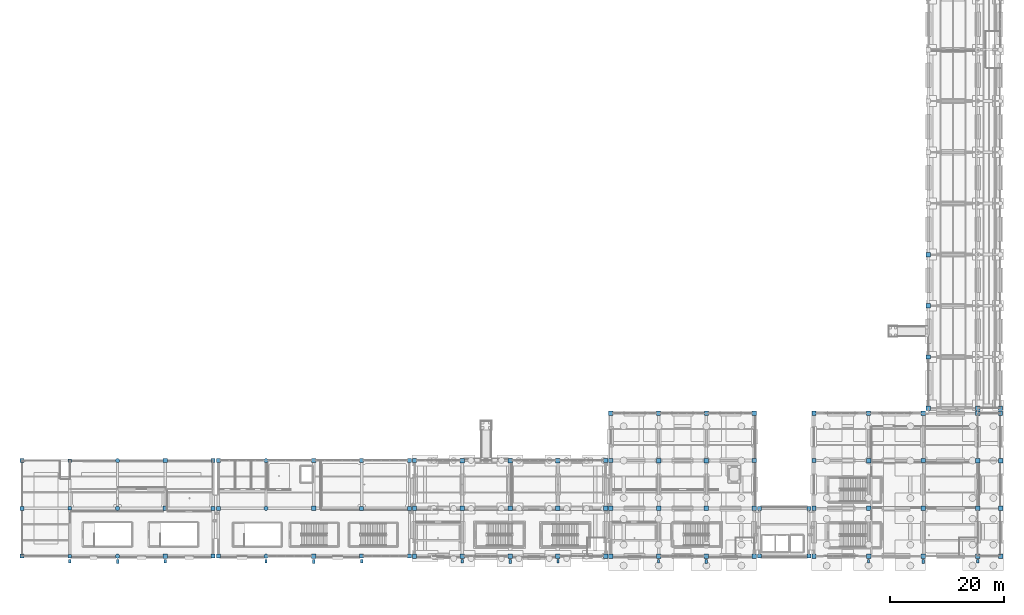
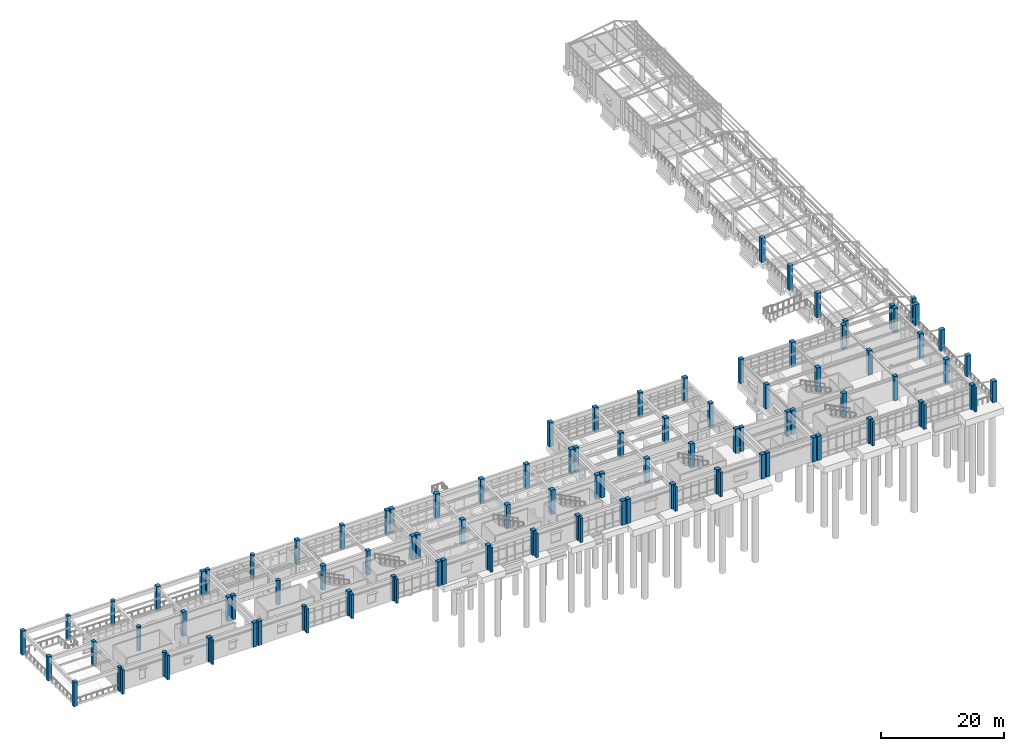
# One storey, part 5 of 111: 105 columns.
"""IFC4 building model written with IfcOpenShell, lengths in metres."""

import ifcopenshell
import ifcopenshell.guid

model = None  # the IFC model being written
_history = None  # IfcOwnerHistory: only IFC2X3 demands one
_inside = {}  # id of a spatial element -> (the spatial element, [elements in it])
_under = {}  # id of a project, library or spatial element -> (it, [spatial elements below it])
_declared = {}  # id of a project -> (the project, [libraries it declares])
_typed = {}  # id of a type object -> (the type object, [elements of that type])
_made_of = {}  # id of a material, layer set ... -> (it, [elements and type objects made of it])


def new_model(schema):
    """Start an empty IFC model of exactly this schema.

    Asked for "IFC4X3", IfcOpenShell would pick the latest addendum, in which some entities
    have other attributes; the version numbers below select the first issue.
    IFC2X3 requires an IfcOwnerHistory on every rooted entity: one is made here for all.
    """
    global model, _history
    if schema == "IFC4X3":
        model = ifcopenshell.file(schema_version=(4, 3, 0, 0))
    else:
        model = ifcopenshell.file(schema=schema)
    _inside.clear()
    _under.clear()
    _declared.clear()
    _typed.clear()
    _made_of.clear()
    _history = None
    if model.schema == "IFC2X3":
        org = make("IfcOrganization", Name="unknown")
        user = make(
            "IfcPersonAndOrganization",
            ThePerson=make("IfcPerson", FamilyName="unknown"),
            TheOrganization=org,
        )
        app = make(
            "IfcApplication",
            ApplicationDeveloper=org,
            Version="unknown",
            ApplicationFullName="unknown",
            ApplicationIdentifier="unknown",
        )
        _history = make(
            "IfcOwnerHistory",
            OwningUser=user,
            OwningApplication=app,
            ChangeAction="ADDED",
            CreationDate=0,
        )
    return model


def make(cls, **values):
    """One entity of the class cls with the attributes given. An attribute that is None is left unset."""
    return model.create_entity(
        cls, **{name: value for name, value in values.items() if value is not None}
    )


def rooted(cls, **values):
    """An entity with a GlobalId (a new one), such as an element, a storey or a relation."""
    return make(cls, GlobalId=ifcopenshell.guid.new(), OwnerHistory=_history, **values)


def si_unit(unit_type, name, prefix=None):
    """IfcSIUnit, for example si_unit("LENGTHUNIT", "METRE", prefix="MILLI")."""
    return make("IfcSIUnit", UnitType=unit_type, Prefix=prefix, Name=name)


def assignment(units):
    """IfcUnitAssignment: the units of a project."""
    return None if units is None else make("IfcUnitAssignment", Units=units)


def point(xyz):
    """IfcCartesianPoint."""
    return None if xyz is None else make("IfcCartesianPoint", Coordinates=xyz)


def direction(xyz):
    """IfcDirection."""
    return None if xyz is None else make("IfcDirection", DirectionRatios=xyz)


def frame(location, z_axis=None, x_axis=None):
    """IfcAxis2Placement3D, a coordinate frame: its origin and axes. An axis left out is left unset."""
    return make(
        "IfcAxis2Placement3D",
        Location=point(location),
        Axis=direction(z_axis),
        RefDirection=direction(x_axis),
    )


def frame_2d(location, x_axis=None):
    """IfcAxis2Placement2D, a coordinate frame in the plane: its origin and x axis."""
    return make(
        "IfcAxis2Placement2D", Location=point(location), RefDirection=direction(x_axis)
    )


def origin():
    """The frame at (0, 0, 0) with its axes left unset."""
    return frame((0.0, 0.0, 0.0))


def origin_2d():
    """The frame at (0, 0) in the plane with its x axis left unset."""
    return frame_2d((0.0, 0.0))


def place(relative_to, where):
    """IfcLocalPlacement: puts the frame where relative to a parent placement (None: the world)."""
    return make(
        "IfcLocalPlacement", PlacementRelTo=relative_to, RelativePlacement=where
    )


def context(
    kind, dimensions, precision=None, world=None, true_north=None, identifier=None
):
    """IfcGeometricRepresentationContext, for example the 3D "Model" context."""
    return make(
        "IfcGeometricRepresentationContext",
        ContextIdentifier=identifier,
        ContextType=kind,
        CoordinateSpaceDimension=dimensions,
        Precision=precision,
        WorldCoordinateSystem=world,
        TrueNorth=true_north,
    )


def subcontext(parent, identifier, kind, view, scale=None):
    """IfcGeometricRepresentationSubContext, for example "Body" below "Model"."""
    return make(
        "IfcGeometricRepresentationSubContext",
        ContextIdentifier=identifier,
        ContextType=kind,
        ParentContext=parent,
        TargetScale=scale,
        TargetView=view,
    )


def project(units=None, contexts=None):
    """IfcProject with its units and contexts."""
    return rooted(
        "IfcProject",
        Name="project",
        RepresentationContexts=contexts,
        UnitsInContext=assignment(units),
    )


def spatial(cls, under=None, at=None, **own):
    """A site, building, storey or space (cls), placed at a placement, below another one or the project."""
    s = rooted(cls, ObjectPlacement=at, **own)
    if under is not None:
        _under.setdefault(under.id(), (under, []))[1].append(s)
    return s


def profile(cls, at=None, kind="AREA", **sizes):
    """A parametric profile (cls). Its sizes go by their IFC names, for example OverallWidth=200.0."""
    return make(cls, ProfileType=kind, Position=at, **sizes)


def rectangle(**sizes):
    """IfcRectangleProfileDef."""
    return profile("IfcRectangleProfileDef", **sizes)


def circle(**sizes):
    """IfcCircleProfileDef."""
    return profile("IfcCircleProfileDef", **sizes)


def extrude(swept, where, along, depth):
    """IfcExtrudedAreaSolid: the profile swept, set in the frame where, extruded along a direction by depth."""
    return make(
        "IfcExtrudedAreaSolid",
        SweptArea=swept,
        Position=where,
        ExtrudedDirection=direction(along),
        Depth=depth,
    )


def shape(context_of_items, identifier, shape_type, items):
    """IfcShapeRepresentation: the items that make up one representation, for example the "Body"."""
    return make(
        "IfcShapeRepresentation",
        ContextOfItems=context_of_items,
        RepresentationIdentifier=identifier,
        RepresentationType=shape_type,
        Items=items,
    )


def material(Name=None, Category=None):
    """IfcMaterial."""
    return make("IfcMaterial", Name=Name, Category=Category)


def material_profile(
    of_material, cross_section, Name=None, Category=None, Priority=None
):
    """IfcMaterialProfile: a cross section and its material."""
    return make(
        "IfcMaterialProfile",
        Name=Name,
        Material=of_material,
        Profile=cross_section,
        Priority=Priority,
        Category=Category,
    )


def profile_set(profiles, Name=None, composite=None):
    """IfcMaterialProfileSet."""
    return make(
        "IfcMaterialProfileSet",
        Name=Name,
        MaterialProfiles=profiles,
        CompositeProfile=composite,
    )


def made_of(thing, what):
    """Note that an element or type object is made of a material, layer set ...; save() writes the relation."""
    if what is not None:
        _made_of.setdefault(what.id(), (what, []))[1].append(thing)
    return thing


def type_object(cls, material=None, **own):
    """A type object (cls), such as IfcWallType, which elements share."""
    return made_of(rooted(cls, **own), material)


def element(
    cls,
    number,
    at=None,
    inside=None,
    cuts=None,
    type_object=None,
    material=None,
    context=None,
    identifier="Body",
    shape_type=None,
    held_by="IfcProductDefinitionShape",
    body=None,
    shapes=None,
    **own,
):
    """One element of the class cls, such as IfcWall. Its Tag is "e" and its number.

    at: its placement. inside: the storey or other place that contains it. cuts: it is an
    opening in that element (IfcRelVoidsElement). A single representation is given by context,
    identifier, shape_type and body (its items); several are given by shapes. held_by: the class
    of the entity that holds the representations. save() writes the other relations.
    """
    e = rooted(cls, Tag="e%d" % number, ObjectPlacement=at, **own)
    if body is not None:
        shapes = [shape(context, identifier, shape_type, body)]
    if shapes is not None:
        e.Representation = make(held_by, Representations=shapes)
    if inside is not None:
        _inside.setdefault(inside.id(), (inside, []))[1].append(e)
    if cuts is not None:
        rooted(
            "IfcRelVoidsElement", RelatingBuildingElement=cuts, RelatedOpeningElement=e
        )
    if type_object is not None:
        _typed.setdefault(type_object.id(), (type_object, []))[1].append(e)
    return made_of(e, material)


def aggregate(whole, parts):
    """IfcRelAggregates: a whole, such as a stair, and the parts it consists of."""
    return rooted("IfcRelAggregates", RelatingObject=whole, RelatedObjects=parts)


def save(model, path):
    """Write the relations noted so far, then the file.

    IfcRelAggregates (storeys below a building ...), IfcRelContainedInSpatialStructure (elements
    in a storey), IfcRelDefinesByType, IfcRelAssociatesMaterial and IfcRelDeclares: one each for
    every whole, place, type object, material and project.
    """
    for whole, parts in _under.values():
        aggregate(whole, parts)
    for where, things in _inside.values():
        rooted(
            "IfcRelContainedInSpatialStructure",
            RelatedElements=things,
            RelatingStructure=where,
        )
    for kind, things in _typed.values():
        rooted("IfcRelDefinesByType", RelatedObjects=things, RelatingType=kind)
    for what, things in _made_of.values():
        rooted("IfcRelAssociatesMaterial", RelatedObjects=things, RelatingMaterial=what)
    for by, libraries in _declared.values():
        rooted("IfcRelDeclares", RelatingContext=by, RelatedDefinitions=libraries)
    model.write(path)


model = new_model("IFC4")

# Units and contexts
model_context = context("Model", 3, precision=1e-05, world=origin(), true_north=direction((0.0, 1.0)))
body_context = subcontext(model_context, "Body", "Model", "MODEL_VIEW")
ifc_project = project(units=[si_unit("LENGTHUNIT", "METRE"), si_unit("AREAUNIT", "SQUARE_METRE"), si_unit("VOLUMEUNIT", "CUBIC_METRE"), si_unit("PLANEANGLEUNIT", "RADIAN"), si_unit("MASSUNIT", "GRAM", prefix="KILO")], contexts=[model_context])

# Site, building, storey
site_placement = place(None, origin())
site = spatial("IfcSite", under=ifc_project, at=site_placement, CompositionType="ELEMENT")
building_placement = place(site_placement, origin())
building = spatial("IfcBuilding", under=site, at=building_placement, Name="Canglan Escarpment Cableway Terminal", CompositionType="ELEMENT")
storey_placement = place(building_placement, frame((0.0, 0.0, 4.800048828125)))
storey = spatial("IfcBuildingStorey", under=building, at=storey_placement, Name="L01", CompositionType="ELEMENT", Elevation=4.800048828125)

# Columns
ifc_material_1 = material(Name="Concrete C40", Category="concrete")
ifc_material_profile_1 = material_profile(ifc_material_1, rectangle(XDim=0.60009765625, YDim=0.60009765625, at=origin_2d()), Name="RC 600x600")
ifc_profile_set_1 = profile_set([ifc_material_profile_1], Name="Concrete C40")
column_type_1 = type_object("IfcColumnType", Name="COL-RC600-C40", PredefinedType="COLUMN", material=ifc_profile_set_1)
for number, where, z_axis, x_axis, name in (
    (1, (16.39990234375, 8.0, 0.0), (0.0, 0.0, 1.0), (1.0, 0.0, 0.0), "Structural column C-05"),
    (2, (16.39990234375, 16.39990234375, 0.0), (0.0, 0.0, 1.0), (1.0, 0.0, 0.0), "Structural column C-05"),
    (3, (16.39990234375, 24.800048828125, 0.0), (0.0, 0.0, 1.0), (1.0, 0.0, 0.0), "Structural column C-05"),
):
    element("IfcColumn", number, at=place(storey_placement, frame(where, z_axis=z_axis, x_axis=x_axis)), inside=storey, type_object=column_type_1, Name=name, PredefinedType="COLUMN", context=body_context, shape_type="SweptSolid", body=[
        extrude(rectangle(XDim=0.60009765625, YDim=0.60009765625, at=origin_2d()), origin(), (0.0, 0.0, 1.0), 4.800048828125),
    ])
ifc_material_profile_2 = material_profile(ifc_material_1, rectangle(XDim=0.699951171875, YDim=0.699951171875, at=origin_2d()), Name="RC 700x700")
ifc_profile_set_2 = profile_set([ifc_material_profile_2], Name="Concrete C40")
column_type_2 = type_object("IfcColumnType", Name="COL-RC700-C40", PredefinedType="COLUMN", material=ifc_profile_set_2)
for number, where, z_axis, x_axis, name in (
    (4, (8.0, 8.0, 0.0), (0.0, 0.0, 1.0), (1.0, 0.0, 0.0), "Structural column C-04"),
    (5, (8.0, 16.39990234375, 0.0), (0.0, 0.0, 1.0), (1.0, 0.0, 0.0), "Structural column C-04"),
    (6, (8.0, 24.800048828125, 0.0), (0.0, 0.0, 1.0), (1.0, 0.0, 0.0), "Structural column C-04"),
    (7, (41.60009765625, 8.0, 0.0), (0.0, 0.0, 1.0), (1.0, 0.0, 0.0), "Structural column C-04"),
    (8, (41.60009765625, 16.39990234375, 0.0), (0.0, 0.0, 1.0), (1.0, 0.0, 0.0), "Structural column C-04"),
    (9, (41.60009765625, 24.800048828125, 0.0), (0.0, 0.0, 1.0), (1.0, 0.0, 0.0), "Structural column C-04"),
    (10, (42.5, 8.0, 0.0), (0.0, 0.0, 1.0), (1.0, 0.0, 0.0), "Structural column C-04"),
    (11, (42.5, 16.39990234375, 0.0), (0.0, 0.0, 1.0), (1.0, 0.0, 0.0), "Structural column C-04"),
    (12, (42.5, 24.800048828125, 0.0), (0.0, 0.0, 1.0), (1.0, 0.0, 0.0), "Structural column C-04"),
    (13, (67.699951171875, 8.0, 0.0), (0.0, 0.0, 1.0), (1.0, 0.0, 0.0), "Structural column C-04"),
    (14, (67.699951171875, 16.39990234375, 0.0), (0.0, 0.0, 1.0), (1.0, 0.0, 0.0), "Structural column C-04"),
    (15, (67.699951171875, 24.800048828125, 0.0), (0.0, 0.0, 1.0), (1.0, 0.0, 0.0), "Structural column C-04"),
    (16, (76.10009765625, 8.0, 0.0), (0.0, 0.0, 1.0), (1.0, 0.0, 0.0), "Structural column C-04"),
    (17, (76.10009765625, 16.39990234375, 0.0), (0.0, 0.0, 1.0), (1.0, 0.0, 0.0), "Structural column C-04"),
    (18, (76.10009765625, 24.800048828125, 0.0), (0.0, 0.0, 1.0), (1.0, 0.0, 0.0), "Structural column C-04"),
    (19, (137.60009765625, 8.0, 0.0), (0.0, 0.0, 1.0), (1.0, 0.0, 0.0), "Structural column C-04"),
    (20, (137.60009765625, 16.39990234375, 0.0), (0.0, 0.0, 1.0), (1.0, 0.0, 0.0), "Structural column C-04"),
    (21, (146.300048828125, 8.0, 0.0), (0.0, 0.0, 1.0), (1.0, 0.0, 0.0), "Structural column C-04"),
    (22, (146.300048828125, 16.39990234375, 0.0), (0.0, 0.0, 1.0), (1.0, 0.0, 0.0), "Structural column C-04"),
):
    element("IfcColumn", number, at=place(storey_placement, frame(where, z_axis=z_axis, x_axis=x_axis)), inside=storey, type_object=column_type_2, Name=name, PredefinedType="COLUMN", context=body_context, shape_type="SweptSolid", body=[
        extrude(rectangle(XDim=0.699951171875, YDim=0.699951171875, at=origin_2d()), origin(), (0.0, 0.0, 1.0), 4.800048828125),
    ])
ifc_material_profile_3 = material_profile(ifc_material_1, rectangle(XDim=0.75, YDim=0.75, at=origin_2d()), Name="RC 750x750")
ifc_profile_set_3 = profile_set([ifc_material_profile_3], Name="Concrete C40")
column_type_3 = type_object("IfcColumnType", Name="COL-RC750-C40", PredefinedType="COLUMN", material=ifc_profile_set_3)
for number, where, z_axis, x_axis, name in (
    (23, (33.199951171875, 8.0, 0.0), (0.0, 0.0, 1.0), (1.0, 0.0, 0.0), "Structural column C-03"),
    (24, (33.199951171875, 16.39990234375, 0.0), (0.0, 0.0, 1.0), (1.0, 0.0, 0.0), "Structural column C-03"),
    (25, (33.199951171875, 24.800048828125, 0.0), (0.0, 0.0, 1.0), (1.0, 0.0, 0.0), "Structural column C-03"),
    (26, (59.300048828125, 8.0, 0.0), (0.0, 0.0, 1.0), (1.0, 0.0, 0.0), "Structural column C-03"),
    (27, (59.300048828125, 16.39990234375, 0.0), (0.0, 0.0, 1.0), (1.0, 0.0, 0.0), "Structural column C-03"),
    (28, (59.300048828125, 24.800048828125, 0.0), (0.0, 0.0, 1.0), (1.0, 0.0, 0.0), "Structural column C-03"),
    (29, (77.0, 8.0, 0.0), (0.0, 0.0, 1.0), (1.0, 0.0, 0.0), "Structural column C-03"),
    (30, (77.0, 16.39990234375, 0.0), (0.0, 0.0, 1.0), (1.0, 0.0, 0.0), "Structural column C-03"),
    (31, (77.0, 24.800048828125, 0.0), (0.0, 0.0, 1.0), (1.0, 0.0, 0.0), "Structural column C-03"),
    (32, (110.60009765625, 8.0, 0.0), (0.0, 0.0, 1.0), (1.0, 0.0, 0.0), "Structural column C-03"),
    (33, (110.60009765625, 16.39990234375, 0.0), (0.0, 0.0, 1.0), (1.0, 0.0, 0.0), "Structural column C-03"),
    (34, (110.60009765625, 24.800048828125, 0.0), (0.0, 0.0, 1.0), (1.0, 0.0, 0.0), "Structural column C-03"),
    (35, (111.5, 8.0, 0.0), (0.0, 0.0, 1.0), (1.0, 0.0, 0.0), "Structural column C-03"),
    (36, (111.5, 16.39990234375, 0.0), (0.0, 0.0, 1.0), (1.0, 0.0, 0.0), "Structural column C-03"),
    (37, (111.5, 24.800048828125, 0.0), (0.0, 0.0, 1.0), (1.0, 0.0, 0.0), "Structural column C-03"),
    (38, (111.5, 33.10009765625, 0.0), (0.0, 0.0, 1.0), (1.0, 0.0, 0.0), "Structural column C-03"),
    (39, (119.89990234375, 33.10009765625, 0.0), (0.0, 0.0, 1.0), (1.0, 0.0, 0.0), "Structural column C-03"),
    (40, (128.300048828125, 33.10009765625, 0.0), (0.0, 0.0, 1.0), (1.0, 0.0, 0.0), "Structural column C-03"),
    (41, (136.699951171875, 8.0, 0.0), (0.0, 0.0, 1.0), (1.0, 0.0, 0.0), "Structural column C-03"),
    (42, (136.699951171875, 16.39990234375, 0.0), (0.0, 0.0, 1.0), (1.0, 0.0, 0.0), "Structural column C-03"),
    (43, (136.699951171875, 24.800048828125, 0.0), (0.0, 0.0, 1.0), (1.0, 0.0, 0.0), "Structural column C-03"),
    (44, (136.699951171875, 33.10009765625, 0.0), (0.0, 0.0, 1.0), (1.0, 0.0, 0.0), "Structural column C-03"),
    (45, (147.199951171875, 8.0, 0.0), (0.0, 0.0, 1.0), (1.0, 0.0, 0.0), "Structural column C-03"),
    (46, (147.199951171875, 16.39990234375, 0.0), (0.0, 0.0, 1.0), (1.0, 0.0, 0.0), "Structural column C-03"),
    (47, (147.199951171875, 24.800048828125, 0.0), (0.0, 0.0, 1.0), (1.0, 0.0, 0.0), "Structural column C-03"),
    (48, (147.199951171875, 33.10009765625, 0.0), (0.0, 0.0, 1.0), (1.0, 0.0, 0.0), "Structural column C-03"),
    (49, (156.800048828125, 33.10009765625, 0.0), (0.0, 0.0, 1.0), (1.0, 0.0, 0.0), "Structural column C-03"),
    (50, (166.39990234375, 8.0, 0.0), (0.0, 0.0, 1.0), (1.0, 0.0, 0.0), "Structural column C-03"),
    (51, (166.39990234375, 16.39990234375, 0.0), (0.0, 0.0, 1.0), (1.0, 0.0, 0.0), "Structural column C-03"),
    (52, (166.39990234375, 24.800048828125, 0.0), (0.0, 0.0, 1.0), (1.0, 0.0, 0.0), "Structural column C-03"),
    (53, (166.39990234375, 33.10009765625, 0.0), (0.0, 0.0, 1.0), (1.0, 0.0, 0.0), "Structural column C-03"),
    (54, (176.0, 33.10009765625, 0.0), (0.0, 0.0, 1.0), (1.0, 0.0, 0.0), "Structural column C-03"),
):
    element("IfcColumn", number, at=place(storey_placement, frame(where, z_axis=z_axis, x_axis=x_axis)), inside=storey, type_object=column_type_3, Name=name, PredefinedType="COLUMN", context=body_context, shape_type="SweptSolid", body=[
        extrude(rectangle(XDim=0.75, YDim=0.75, at=origin_2d()), origin(), (0.0, 0.0, 1.0), 4.800048828125),
    ])
column_placement = place(storey_placement, frame((180.0, 33.10009765625, 0.0), z_axis=(0.0, 0.0, 1.0), x_axis=(1.0, 0.0, 0.0)))
element("IfcColumn", 55, at=column_placement, inside=storey, type_object=column_type_3, Name="Structural column C-03", PredefinedType="COLUMN", context=body_context, shape_type="SweptSolid", body=[
    extrude(rectangle(XDim=0.75, YDim=0.75, at=origin_2d()), origin(), (0.0, 0.0, 1.0), 4.14990234375),
])
for number, where, z_axis, x_axis, name in (
    (56, (167.300048828125, 34.0, 0.0), (0.0, 0.0, 1.0), (1.0, 0.0, 0.0), "Structural column C-03"),
    (57, (167.300048828125, 43.0, 0.0), (0.0, 0.0, 1.0), (1.0, 0.0, 0.0), "Structural column C-03"),
    (58, (167.300048828125, 52.0, 0.0), (0.0, 0.0, 1.0), (1.0, 0.0, 0.0), "Structural column C-03"),
    (59, (167.300048828125, 61.0, 0.0), (0.0, 0.0, 1.0), (1.0, 0.0, 0.0), "Structural column C-03"),
    (60, (176.0, 34.0, 0.0), (0.0, 0.0, 1.0), (1.0, 0.0, 0.0), "Structural column C-03"),
    (61, (180.0, 34.0, 0.0), (0.0, 0.0, 1.0), (1.0, 0.0, 0.0), "Structural column C-03"),
):
    element("IfcColumn", number, at=place(storey_placement, frame(where, z_axis=z_axis, x_axis=x_axis)), inside=storey, type_object=column_type_3, Name=name, PredefinedType="COLUMN", context=body_context, shape_type="SweptSolid", body=[
        extrude(rectangle(XDim=0.75, YDim=0.75, at=origin_2d()), origin(), (0.0, 0.0, 1.0), 4.800048828125),
    ])
ifc_material_2 = material(Name="Concrete C50", Category="concrete")
ifc_material_profile_4 = material_profile(ifc_material_2, rectangle(XDim=0.800048828125, YDim=0.800048828125, at=origin_2d()), Name="RC 800x800")
ifc_profile_set_4 = profile_set([ifc_material_profile_4], Name="Concrete C50")
column_type_4 = type_object("IfcColumnType", Name="COL-RC800-C50", PredefinedType="COLUMN", material=ifc_profile_set_4)
for number, where, z_axis, x_axis, name in (
    (62, (85.39990234375, 8.0, 0.0), (0.0, 0.0, 1.0), (1.0, 0.0, 0.0), "Structural column C-02"),
    (63, (85.39990234375, 16.39990234375, 0.0), (0.0, 0.0, 1.0), (1.0, 0.0, 0.0), "Structural column C-02"),
    (64, (85.39990234375, 24.800048828125, 0.0), (0.0, 0.0, 1.0), (1.0, 0.0, 0.0), "Structural column C-02"),
    (65, (93.800048828125, 8.0, 0.0), (0.0, 0.0, 1.0), (1.0, 0.0, 0.0), "Structural column C-02"),
    (66, (93.800048828125, 16.39990234375, 0.0), (0.0, 0.0, 1.0), (1.0, 0.0, 0.0), "Structural column C-02"),
    (67, (93.800048828125, 24.800048828125, 0.0), (0.0, 0.0, 1.0), (1.0, 0.0, 0.0), "Structural column C-02"),
    (68, (102.199951171875, 8.0, 0.0), (0.0, 0.0, 1.0), (1.0, 0.0, 0.0), "Structural column C-02"),
    (69, (102.199951171875, 16.39990234375, 0.0), (0.0, 0.0, 1.0), (1.0, 0.0, 0.0), "Structural column C-02"),
    (70, (102.199951171875, 24.800048828125, 0.0), (0.0, 0.0, 1.0), (1.0, 0.0, 0.0), "Structural column C-02"),
    (71, (119.89990234375, 8.0, 0.0), (0.0, 0.0, 1.0), (1.0, 0.0, 0.0), "Structural column C-02"),
    (72, (119.89990234375, 16.39990234375, 0.0), (0.0, 0.0, 1.0), (1.0, 0.0, 0.0), "Structural column C-02"),
    (73, (119.89990234375, 24.800048828125, 0.0), (0.0, 0.0, 1.0), (1.0, 0.0, 0.0), "Structural column C-02"),
    (74, (128.300048828125, 8.0, 0.0), (0.0, 0.0, 1.0), (1.0, 0.0, 0.0), "Structural column C-02"),
    (75, (128.300048828125, 16.39990234375, 0.0), (0.0, 0.0, 1.0), (1.0, 0.0, 0.0), "Structural column C-02"),
    (76, (128.300048828125, 24.800048828125, 0.0), (0.0, 0.0, 1.0), (1.0, 0.0, 0.0), "Structural column C-02"),
    (77, (156.800048828125, 8.0, 0.0), (0.0, 0.0, 1.0), (1.0, 0.0, 0.0), "Structural column C-02"),
    (78, (156.800048828125, 16.39990234375, 0.0), (0.0, 0.0, 1.0), (1.0, 0.0, 0.0), "Structural column C-02"),
    (79, (156.800048828125, 24.800048828125, 0.0), (0.0, 0.0, 1.0), (1.0, 0.0, 0.0), "Structural column C-02"),
    (80, (176.0, 8.0, 0.0), (0.0, 0.0, 1.0), (1.0, 0.0, 0.0), "Structural column C-02"),
    (81, (176.0, 16.39990234375, 0.0), (0.0, 0.0, 1.0), (1.0, 0.0, 0.0), "Structural column C-02"),
    (82, (176.0, 24.800048828125, 0.0), (0.0, 0.0, 1.0), (1.0, 0.0, 0.0), "Structural column C-02"),
):
    element("IfcColumn", number, at=place(storey_placement, frame(where, z_axis=z_axis, x_axis=x_axis)), inside=storey, type_object=column_type_4, Name=name, PredefinedType="COLUMN", context=body_context, shape_type="SweptSolid", body=[
        extrude(rectangle(XDim=0.800048828125, YDim=0.800048828125, at=origin_2d()), origin(), (0.0, 0.0, 1.0), 4.800048828125),
    ])
for number, where, z_axis, x_axis, name in (
    (83, (180.0, 8.0, 0.0), (0.0, 0.0, 1.0), (1.0, 0.0, 0.0), "Structural column C-02"),
    (84, (180.0, 16.39990234375, 0.0), (0.0, 0.0, 1.0), (1.0, 0.0, 0.0), "Structural column C-02"),
    (85, (180.0, 24.800048828125, 0.0), (0.0, 0.0, 1.0), (1.0, 0.0, 0.0), "Structural column C-02"),
):
    element("IfcColumn", number, at=place(storey_placement, frame(where, z_axis=z_axis, x_axis=x_axis)), inside=storey, type_object=column_type_4, Name=name, PredefinedType="COLUMN", context=body_context, shape_type="SweptSolid", body=[
        extrude(rectangle(XDim=0.800048828125, YDim=0.800048828125, at=origin_2d()), origin(), (0.0, 0.0, 1.0), 4.14990234375),
    ])
ifc_material_profile_5 = material_profile(ifc_material_1, circle(Radius=0.375, at=origin_2d()), Name="RC-CIRC D750")
ifc_profile_set_5 = profile_set([ifc_material_profile_5], Name="Concrete C40")
column_type_5 = type_object("IfcColumnType", Name="COL-RCC750-C40", PredefinedType="COLUMN", material=ifc_profile_set_5)
for number, where, z_axis, x_axis, name in (
    (86, (24.800048828125, 8.0, 0.0), (0.0, 0.0, 1.0), (1.0, 0.0, 0.0), "Structural column C-07"),
    (87, (24.800048828125, 16.39990234375, 0.0), (0.0, 0.0, 1.0), (1.0, 0.0, 0.0), "Structural column C-07"),
    (88, (24.800048828125, 24.800048828125, 0.0), (0.0, 0.0, 1.0), (1.0, 0.0, 0.0), "Structural column C-07"),
    (89, (50.89990234375, 8.0, 0.0), (0.0, 0.0, 1.0), (1.0, 0.0, 0.0), "Structural column C-07"),
    (90, (50.89990234375, 16.39990234375, 0.0), (0.0, 0.0, 1.0), (1.0, 0.0, 0.0), "Structural column C-07"),
    (91, (50.89990234375, 24.800048828125, 0.0), (0.0, 0.0, 1.0), (1.0, 0.0, 0.0), "Structural column C-07"),
):
    element("IfcColumn", number, at=place(storey_placement, frame(where, z_axis=z_axis, x_axis=x_axis)), inside=storey, type_object=column_type_5, Name=name, PredefinedType="COLUMN", context=body_context, shape_type="SweptSolid", body=[
        extrude(circle(Radius=0.375, at=origin_2d()), origin(), (0.0, 0.0, 1.0), 4.800048828125),
    ])
ifc_material_profile_6 = material_profile(ifc_material_1, rectangle(XDim=0.39990234375, YDim=0.64990234375, at=origin_2d()), Name="RC-PIL 400x650")
ifc_profile_set_6 = profile_set([ifc_material_profile_6], Name="Concrete C40")
column_type_6 = type_object("IfcColumnType", Name="PIL-RC400x650", PredefinedType="PILASTER", material=ifc_profile_set_6)
for number, where, z_axis, x_axis, name in (
    (92, (16.39990234375, 7.094970703125, 0.0), (0.0, 0.0, 1.0), (1.0, 0.0, 0.0), "Neoclassical engaged pilaster PL-02"),
    (93, (33.199951171875, 7.094970703125, 0.0), (0.0, 0.0, 1.0), (1.0, 0.0, 0.0), "Neoclassical engaged pilaster PL-02"),
    (94, (50.89990234375, 7.094970703125, 0.0), (0.0, 0.0, 1.0), (1.0, 0.0, 0.0), "Neoclassical engaged pilaster PL-02"),
    (95, (67.699951171875, 7.094970703125, 0.0), (0.0, 0.0, 1.0), (1.0, 0.0, 0.0), "Neoclassical engaged pilaster PL-02"),
    (96, (85.39990234375, 7.094970703125, 0.0), (0.0, 0.0, 1.0), (1.0, 0.0, 0.0), "Neoclassical engaged pilaster PL-02"),
    (97, (102.199951171875, 7.094970703125, 0.0), (0.0, 0.0, 1.0), (1.0, 0.0, 0.0), "Neoclassical engaged pilaster PL-02"),
    (98, (119.89990234375, 7.094970703125, 0.0), (0.0, 0.0, 1.0), (1.0, 0.0, 0.0), "Neoclassical engaged pilaster PL-02"),
    (99, (156.800048828125, 7.094970703125, 0.0), (0.0, 0.0, 1.0), (1.0, 0.0, 0.0), "Neoclassical engaged pilaster PL-02"),
    (100, (176.0, 7.094970703125, 0.0), (0.0, 0.0, 1.0), (1.0, 0.0, 0.0), "Neoclassical engaged pilaster PL-02"),
):
    element("IfcColumn", number, at=place(storey_placement, frame(where, z_axis=z_axis, x_axis=x_axis)), inside=storey, type_object=column_type_6, Name=name, PredefinedType="PILASTER", context=body_context, shape_type="SweptSolid", body=[
        extrude(rectangle(XDim=0.39990234375, YDim=0.64990234375, at=origin_2d()), origin(), (0.0, 0.0, 1.0), 4.800048828125),
    ])
ifc_material_profile_7 = material_profile(ifc_material_1, rectangle(XDim=0.449951171875, YDim=0.75, at=origin_2d()), Name="RC-PIL 450x750")
ifc_profile_set_7 = profile_set([ifc_material_profile_7], Name="Concrete C40")
column_type_7 = type_object("IfcColumnType", Name="PIL-RC450x750", PredefinedType="PILASTER", material=ifc_profile_set_7)
for number, where, z_axis, x_axis, name in (
    (101, (24.800048828125, 7.044921875, 0.0), (0.0, 0.0, 1.0), (1.0, 0.0, 0.0), "Neoclassical engaged pilaster PL-01"),
    (102, (59.300048828125, 7.044921875, 0.0), (0.0, 0.0, 1.0), (1.0, 0.0, 0.0), "Neoclassical engaged pilaster PL-01"),
    (103, (93.800048828125, 7.044921875, 0.0), (0.0, 0.0, 1.0), (1.0, 0.0, 0.0), "Neoclassical engaged pilaster PL-01"),
    (104, (128.300048828125, 7.044921875, 0.0), (0.0, 0.0, 1.0), (1.0, 0.0, 0.0), "Neoclassical engaged pilaster PL-01"),
    (105, (166.39990234375, 7.044921875, 0.0), (0.0, 0.0, 1.0), (1.0, 0.0, 0.0), "Neoclassical engaged pilaster PL-01"),
):
    element("IfcColumn", number, at=place(storey_placement, frame(where, z_axis=z_axis, x_axis=x_axis)), inside=storey, type_object=column_type_7, Name=name, PredefinedType="PILASTER", context=body_context, shape_type="SweptSolid", body=[
        extrude(rectangle(XDim=0.449951171875, YDim=0.75, at=origin_2d()), origin(), (0.0, 0.0, 1.0), 4.800048828125),
    ])

save(model, "model.ifc")
